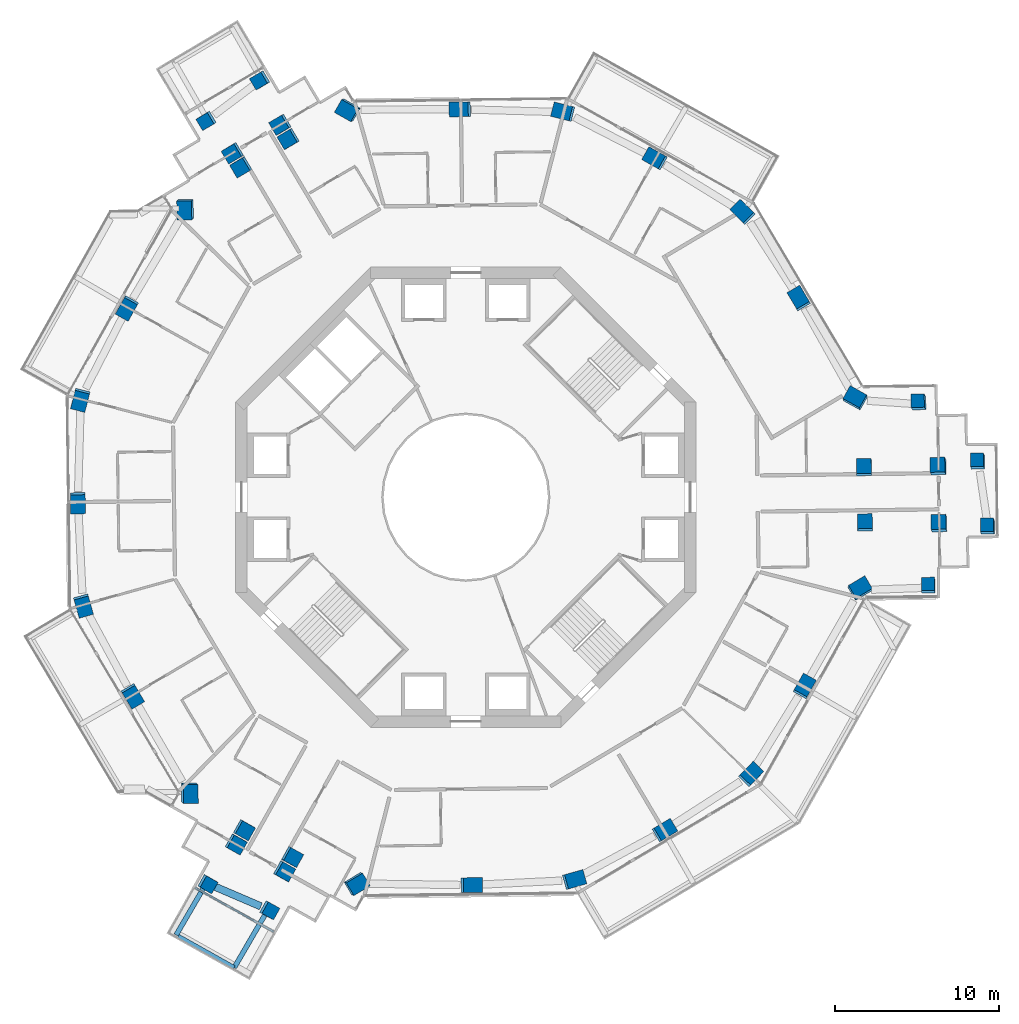
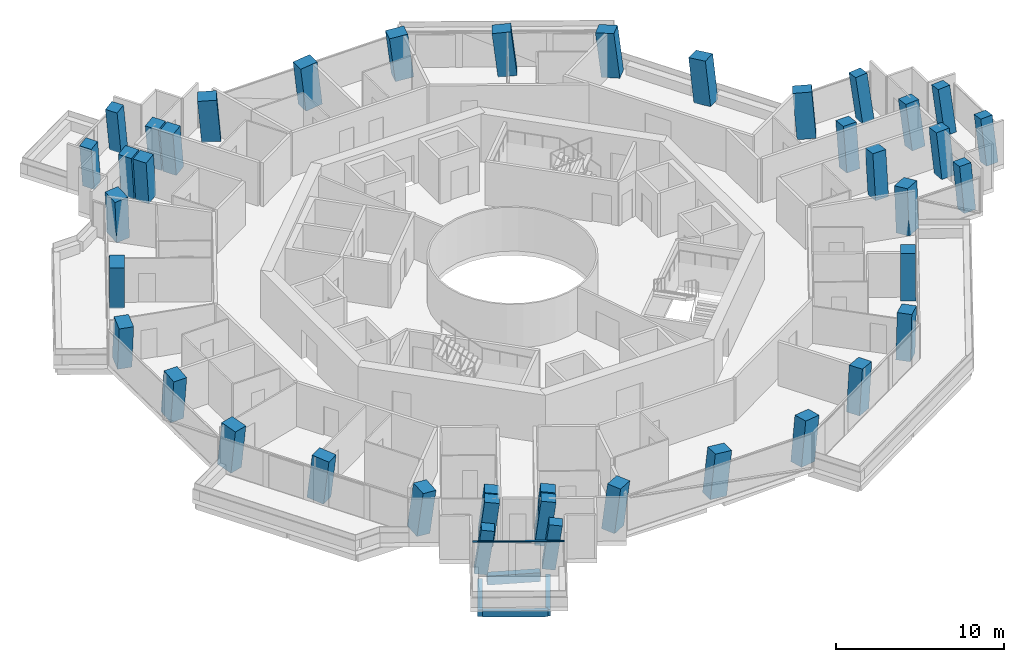
# One storey, part 1 of 21: 41 columns, 4 beams, 1 member, 1 element without a shape of its own.
"""IFC4 building model written with IfcOpenShell, lengths in metres."""

from ifc_helpers import new_model, si_unit, direction, frame, origin, origin_2d, place, context, subcontext, project, spatial, rectangle, extrude, material, layer, layer_set, material_profile, profile_set, type_object, element, aggregate, save


model = new_model("IFC4")

# Units and contexts
model_context = context("Model", 3, precision=1e-05, world=origin(), true_north=direction((0.0, 1.0)))
body_context = subcontext(model_context, "Body", "Model", "MODEL_VIEW")
ifc_project = project(units=[si_unit("LENGTHUNIT", "METRE"), si_unit("AREAUNIT", "SQUARE_METRE"), si_unit("VOLUMEUNIT", "CUBIC_METRE"), si_unit("PLANEANGLEUNIT", "RADIAN"), si_unit("MASSUNIT", "GRAM", prefix="KILO")], contexts=[model_context])

# Site, building, storey
site_placement = place(None, origin())
site = spatial("IfcSite", under=ifc_project, at=site_placement, CompositionType="ELEMENT")
building_placement = place(site_placement, origin())
building = spatial("IfcBuilding", under=site, at=building_placement, Name="Verdalira Terraces Hotel", CompositionType="ELEMENT")
storey_placement = place(building_placement, frame((0.0, 0.0, 158.5)))
storey = spatial("IfcBuildingStorey", under=building, at=storey_placement, Name="L38", CompositionType="ELEMENT", Elevation=158.5)

# Columns
ifc_material_1 = material(Name="Concrete C60", Category="concrete")
ifc_material_profile_1 = material_profile(ifc_material_1, rectangle(XDim=1.149902, YDim=0.899902, at=origin_2d()), Name="RC 1150X900")
ifc_profile_set_1 = profile_set([ifc_material_profile_1], Name="Concrete C60")
column_type_1 = type_object("IfcColumnType", Name="Column RC 1150X900 C60", PredefinedType="COLUMN", material=ifc_profile_set_1)
column_1_placement = place(storey_placement, frame((-17.033203, 17.545654, 0.0), z_axis=(-0.082780328, -0.081716118, 0.993211908), x_axis=(-0.019273255, 0.996577406, 0.080386663)))
element("IfcColumn", 1, at=column_1_placement, inside=storey, type_object=column_type_1, Name="Column C01", PredefinedType="COLUMN", context=body_context, shape_type="SweptSolid", body=[
    extrude(rectangle(XDim=1.149902, YDim=0.899902, at=origin_2d()), origin(), (0.0, 0.0, 1.0), 3.21167),
])
column_2_placement = place(storey_placement, frame((-20.592041, 11.546387, 0.0), z_axis=(-0.054147738, -0.09840895, 0.993671828), x_axis=(-0.486394176, -0.866490221, -0.112318307)))
element("IfcColumn", 2, at=column_2_placement, inside=storey, type_object=column_type_1, Name="Column C02", PredefinedType="COLUMN", context=body_context, shape_type="SweptSolid", body=[
    extrude(rectangle(XDim=1.149902, YDim=0.899902, at=origin_2d()), origin(), (0.0, 0.0, 1.0), 3.210205),
])
column_3_placement = place(storey_placement, frame((-23.445312, 5.967285, 0.0), z_axis=(-0.027369667, -0.111683446, 0.993366855), x_axis=(0.244625201, 0.962775758, 0.114984131)))
element("IfcColumn", 3, at=column_3_placement, inside=storey, type_object=column_type_1, Name="Column C03", PredefinedType="COLUMN", context=body_context, shape_type="SweptSolid", body=[
    extrude(rectangle(XDim=1.149902, YDim=0.899902, at=origin_2d()), origin(), (0.0, 0.0, 1.0), 3.211182),
])
column_4_placement = place(storey_placement, frame((-23.606445, -0.296631, 0.0), z_axis=(0.002357569, -0.112250684, 0.993677124), x_axis=(0.012434843, -0.993599767, -0.112271448)))
element("IfcColumn", 4, at=column_4_placement, inside=storey, type_object=column_type_1, Name="Column C04", PredefinedType="COLUMN", context=body_context, shape_type="SweptSolid", body=[
    extrude(rectangle(XDim=1.149902, YDim=0.899902, at=origin_2d()), origin(), (0.0, 0.0, 1.0), 3.210205),
])
column_5_placement = place(storey_placement, frame((-23.287842, -6.554688, 0.0), z_axis=(0.032083171, -0.110466464, 0.993361883), x_axis=(-0.26894855, 0.956261182, 0.115027077)))
element("IfcColumn", 5, at=column_5_placement, inside=storey, type_object=column_type_1, Name="Column C05", PredefinedType="COLUMN", context=body_context, shape_type="SweptSolid", body=[
    extrude(rectangle(XDim=1.149902, YDim=0.899902, at=origin_2d()), origin(), (0.0, 0.0, 1.0), 3.211182),
])
column_6_placement = place(storey_placement, frame((-20.29541, -12.060303, 0.0), z_axis=(0.058178989, -0.095976319, 0.993681917), x_axis=(0.507873055, -0.854089929, -0.11222902)))
element("IfcColumn", 6, at=column_6_placement, inside=storey, type_object=column_type_1, Name="Column C06", PredefinedType="COLUMN", context=body_context, shape_type="SweptSolid", body=[
    extrude(rectangle(XDim=1.149902, YDim=0.899902, at=origin_2d()), origin(), (0.0, 0.0, 1.0), 3.210205),
])
column_7_placement = place(storey_placement, frame((-16.841064, -17.971436, 0.0), z_axis=(0.086117007, -0.079352299, 0.993119869), x_axis=(-0.005682221, 0.996767703, 0.080136495)))
element("IfcColumn", 7, at=column_7_placement, inside=storey, type_object=column_type_1, Name="Column C07", PredefinedType="COLUMN", context=body_context, shape_type="SweptSolid", body=[
    extrude(rectangle(XDim=1.149902, YDim=0.899902, at=origin_2d()), origin(), (0.0, 0.0, 1.0), 3.212158),
])
column_8_placement = place(storey_placement, frame((-6.678223, -23.52417, 0.0), z_axis=(0.112047669, -0.030786503, 0.993225811), x_axis=(-0.853370456, -0.515082556, 0.080304578)))
element("IfcColumn", 8, at=column_8_placement, inside=storey, type_object=column_type_1, Name="Column C10", PredefinedType="COLUMN", context=body_context, shape_type="SweptSolid", body=[
    extrude(rectangle(XDim=1.149902, YDim=0.899902, at=origin_2d()), origin(), (0.0, 0.0, 1.0), 3.21167),
])
column_9_placement = place(storey_placement, frame((0.296631, -23.606445, 0.0), z_axis=(0.112250684, 0.002357569, 0.993677124), x_axis=(0.993599767, 0.012434843, -0.112271448)))
element("IfcColumn", 9, at=column_9_placement, inside=storey, type_object=column_type_1, Name="Column C11", PredefinedType="COLUMN", context=body_context, shape_type="SweptSolid", body=[
    extrude(rectangle(XDim=1.149902, YDim=0.899902, at=origin_2d()), origin(), (0.0, 0.0, 1.0), 3.210205),
])
column_10_placement = place(storey_placement, frame((6.554688, -23.287842, 0.0), z_axis=(0.110466464, 0.032083171, 0.993361883), x_axis=(-0.956261182, -0.26894855, 0.115027077)))
element("IfcColumn", 10, at=column_10_placement, inside=storey, type_object=column_type_1, Name="Column C12", PredefinedType="COLUMN", context=body_context, shape_type="SweptSolid", body=[
    extrude(rectangle(XDim=1.149902, YDim=0.899902, at=origin_2d()), origin(), (0.0, 0.0, 1.0), 3.211182),
])
column_11_placement = place(storey_placement, frame((12.060303, -20.29541, 0.0), z_axis=(0.095976319, 0.058178989, 0.993681917), x_axis=(0.854089929, 0.507873055, -0.11222902)))
element("IfcColumn", 11, at=column_11_placement, inside=storey, type_object=column_type_1, Name="Column C13", PredefinedType="COLUMN", context=body_context, shape_type="SweptSolid", body=[
    extrude(rectangle(XDim=1.149902, YDim=0.899902, at=origin_2d()), origin(), (0.0, 0.0, 1.0), 3.210205),
])
column_12_placement = place(storey_placement, frame((17.320312, -16.890381, 0.0), z_axis=(0.079675403, 0.083020554, 0.993357649), x_axis=(-0.693882614, -0.710835619, 0.115063637)))
element("IfcColumn", 12, at=column_12_placement, inside=storey, type_object=column_type_1, Name="Column C14", PredefinedType="COLUMN", context=body_context, shape_type="SweptSolid", body=[
    extrude(rectangle(XDim=1.149902, YDim=0.899902, at=origin_2d()), origin(), (0.0, 0.0, 1.0), 3.211182),
])
column_13_placement = place(storey_placement, frame((20.592041, -11.546387, 0.0), z_axis=(0.054147738, 0.09840895, 0.993671828), x_axis=(0.486394176, 0.866490221, -0.112318307)))
element("IfcColumn", 13, at=column_13_placement, inside=storey, type_object=column_type_1, Name="Column C15", PredefinedType="COLUMN", context=body_context, shape_type="SweptSolid", body=[
    extrude(rectangle(XDim=1.149902, YDim=0.899902, at=origin_2d()), origin(), (0.0, 0.0, 1.0), 3.210205),
])
column_14_placement = place(storey_placement, frame((23.984131, -5.599121, 0.0), z_axis=(0.025690715, 0.114240071, 0.993120936), x_axis=(-0.860517755, -0.503078849, 0.080130301)))
element("IfcColumn", 14, at=column_14_placement, inside=storey, type_object=column_type_1, Name="Column C16", PredefinedType="COLUMN", context=body_context, shape_type="SweptSolid", body=[
    extrude(rectangle(XDim=1.149902, YDim=0.899902, at=origin_2d()), origin(), (0.0, 0.0, 1.0), 3.212158),
])
column_15_placement = place(storey_placement, frame((23.71167, 5.978516, 0.0), z_axis=(-0.02941792, 0.112502638, 0.993215859), x_axis=(0.872905646, -0.481224965, 0.080363342)))
element("IfcColumn", 15, at=column_15_placement, inside=storey, type_object=column_type_1, Name="Column C21", PredefinedType="COLUMN", context=body_context, shape_type="SweptSolid", body=[
    extrude(rectangle(XDim=1.149902, YDim=0.899902, at=origin_2d()), origin(), (0.0, 0.0, 1.0), 3.21167),
])
column_16_placement = place(storey_placement, frame((20.29541, 12.060303, 0.0), z_axis=(-0.058178989, 0.095976319, 0.993681917), x_axis=(-0.507873055, 0.854089929, -0.11222902)))
element("IfcColumn", 16, at=column_16_placement, inside=storey, type_object=column_type_1, Name="Column C22", PredefinedType="COLUMN", context=body_context, shape_type="SweptSolid", body=[
    extrude(rectangle(XDim=1.149902, YDim=0.899902, at=origin_2d()), origin(), (0.0, 0.0, 1.0), 3.210205),
])
column_17_placement = place(storey_placement, frame((16.890381, 17.320312, 0.0), z_axis=(-0.083020554, 0.079675403, 0.993357649), x_axis=(0.710835619, -0.693882614, 0.115063637)))
element("IfcColumn", 17, at=column_17_placement, inside=storey, type_object=column_type_1, Name="Column C23", PredefinedType="COLUMN", context=body_context, shape_type="SweptSolid", body=[
    extrude(rectangle(XDim=1.149902, YDim=0.899902, at=origin_2d()), origin(), (0.0, 0.0, 1.0), 3.211182),
])
column_18_placement = place(storey_placement, frame((11.546387, 20.592041, 0.0), z_axis=(-0.09840895, 0.054147738, 0.993671828), x_axis=(-0.866490221, 0.486394176, -0.112318307)))
element("IfcColumn", 18, at=column_18_placement, inside=storey, type_object=column_type_1, Name="Column C24", PredefinedType="COLUMN", context=body_context, shape_type="SweptSolid", body=[
    extrude(rectangle(XDim=1.149902, YDim=0.899902, at=origin_2d()), origin(), (0.0, 0.0, 1.0), 3.210205),
])
column_19_placement = place(storey_placement, frame((5.967285, 23.445312, 0.0), z_axis=(-0.111683446, 0.027369667, 0.993366855), x_axis=(0.962775758, -0.244625201, 0.114984131)))
element("IfcColumn", 19, at=column_19_placement, inside=storey, type_object=column_type_1, Name="Column C25", PredefinedType="COLUMN", context=body_context, shape_type="SweptSolid", body=[
    extrude(rectangle(XDim=1.149902, YDim=0.899902, at=origin_2d()), origin(), (0.0, 0.0, 1.0), 3.211182),
])
column_20_placement = place(storey_placement, frame((-0.296631, 23.606445, 0.0), z_axis=(-0.112250684, -0.002357569, 0.993677124), x_axis=(-0.993599767, -0.012434843, -0.112271448)))
element("IfcColumn", 20, at=column_20_placement, inside=storey, type_object=column_type_1, Name="Column C26", PredefinedType="COLUMN", context=body_context, shape_type="SweptSolid", body=[
    extrude(rectangle(XDim=1.149902, YDim=0.899902, at=origin_2d()), origin(), (0.0, 0.0, 1.0), 3.210205),
])
column_21_placement = place(storey_placement, frame((-7.143311, 23.570312, 0.0), z_axis=(-0.111732346, -0.034887855, 0.993125732), x_axis=(0.866068065, -0.493467023, 0.080102456)))
element("IfcColumn", 21, at=column_21_placement, inside=storey, type_object=column_type_1, Name="Column C27", PredefinedType="COLUMN", context=body_context, shape_type="SweptSolid", body=[
    extrude(rectangle(XDim=1.149902, YDim=0.899902, at=origin_2d()), origin(), (0.0, 0.0, 1.0), 3.211914),
])
ifc_material_2 = material(Name="Concrete C60", Category="concrete")
ifc_material_profile_2 = material_profile(ifc_material_2, rectangle(XDim=0.800049, YDim=0.800049, at=origin_2d()), Name="RC 800X800")
ifc_profile_set_2 = profile_set([ifc_material_profile_2], Name="Concrete C60")
column_type_2 = type_object("IfcColumnType", Name="Column RC 800X800 C60", PredefinedType="COLUMN", material=ifc_profile_set_2)
column_22_placement = place(storey_placement, frame((-15.758545, -23.503906, 0.0), z_axis=(0.112094085, -0.07386985, 0.990948112), x_axis=(0.864810287, -0.483915536, -0.133898924)))
element("IfcColumn", 22, at=column_22_placement, inside=storey, type_object=column_type_2, Name="Column C08", PredefinedType="COLUMN", context=body_context, shape_type="SweptSolid", body=[
    extrude(rectangle(XDim=0.800049, YDim=0.800049, at=origin_2d()), origin(), (0.0, 0.0, 1.0), 3.218994),
])
column_23_placement = place(storey_placement, frame((-12.002197, -25.105957, 0.0), z_axis=(0.119637883, -0.055911934, 0.991241965), x_axis=(0.8641985, -0.485610134, -0.131695676)))
element("IfcColumn", 23, at=column_23_placement, inside=storey, type_object=column_type_2, Name="Column C09", PredefinedType="COLUMN", context=body_context, shape_type="SweptSolid", body=[
    extrude(rectangle(XDim=0.800049, YDim=0.800049, at=origin_2d()), origin(), (0.0, 0.0, 1.0), 3.218018),
])
column_24_placement = place(storey_placement, frame((28.152588, -5.436768, 0.0), z_axis=(-0.02358596, 0.132415071, 0.990913695), x_axis=(0.999645385, 0.015379788, 0.021738604)))
element("IfcColumn", 24, at=column_24_placement, inside=storey, type_object=column_type_2, Name="Column C17", PredefinedType="COLUMN", context=body_context, shape_type="SweptSolid", body=[
    extrude(rectangle(XDim=0.800049, YDim=0.800049, at=origin_2d()), origin(), (0.0, 0.0, 1.0), 3.219238),
])
column_25_placement = place(storey_placement, frame((31.767822, -1.851074, 0.0), z_axis=(-0.040606192, 0.148964987, 0.988008386), x_axis=(-0.006401041, 0.988764865, -0.14934212)))
element("IfcColumn", 25, at=column_25_placement, inside=storey, type_object=column_type_2, Name="Column C18", PredefinedType="COLUMN", context=body_context, shape_type="SweptSolid", body=[
    extrude(rectangle(XDim=0.800049, YDim=0.800049, at=origin_2d()), origin(), (0.0, 0.0, 1.0), 3.22876),
])
column_26_placement = place(storey_placement, frame((31.177979, 2.102051, 0.0), z_axis=(-0.059254687, 0.145869319, 0.987527733), x_axis=(-0.003934823, 0.989224159, -0.146356003)))
element("IfcColumn", 26, at=column_26_placement, inside=storey, type_object=column_type_2, Name="Column C19", PredefinedType="COLUMN", context=body_context, shape_type="SweptSolid", body=[
    extrude(rectangle(XDim=0.800049, YDim=0.800049, at=origin_2d()), origin(), (0.0, 0.0, 1.0), 3.230225),
])
column_27_placement = place(storey_placement, frame((27.592285, 5.717285, 0.0), z_axis=(-0.076276126, 0.128942974, 0.988714146), x_axis=(-0.997010196, -0.022149321, -0.07402754)))
element("IfcColumn", 27, at=column_27_placement, inside=storey, type_object=column_type_2, Name="Column C20", PredefinedType="COLUMN", context=body_context, shape_type="SweptSolid", body=[
    extrude(rectangle(XDim=0.800049, YDim=0.800049, at=origin_2d()), origin(), (0.0, 0.0, 1.0), 3.226318),
])
column_28_placement = place(storey_placement, frame((-12.47583, 25.399414, 0.0), z_axis=(-0.119981625, -0.060218338, 0.990948112), x_axis=(-0.851163062, -0.507535733, -0.133898924)))
element("IfcColumn", 28, at=column_28_placement, inside=storey, type_object=column_type_2, Name="Column C28", PredefinedType="COLUMN", context=body_context, shape_type="SweptSolid", body=[
    extrude(rectangle(XDim=0.800049, YDim=0.800049, at=origin_2d()), origin(), (0.0, 0.0, 1.0), 3.218994),
])
column_29_placement = place(storey_placement, frame((-15.741211, 22.947021, 0.0), z_axis=(-0.108258795, -0.075561149, 0.991246965), x_axis=(-0.852984722, -0.505057594, -0.13165824)))
element("IfcColumn", 29, at=column_29_placement, inside=storey, type_object=column_type_2, Name="Column C29", PredefinedType="COLUMN", context=body_context, shape_type="SweptSolid", body=[
    extrude(rectangle(XDim=0.800049, YDim=0.800049, at=origin_2d()), origin(), (0.0, 0.0, 1.0), 3.218018),
])
ifc_material_3 = material(Name="Concrete C60", Category="concrete")
ifc_material_profile_3 = material_profile(ifc_material_3, rectangle(XDim=0.899902, YDim=0.899902, at=origin_2d()), Name="RC 900X900")
ifc_profile_set_3 = profile_set([ifc_material_profile_3], Name="Concrete C60")
column_type_3 = type_object("IfcColumnType", Name="Column RC 900X900 C60", PredefinedType="COLUMN", material=ifc_profile_set_3)
for number, where, z_axis, x_axis, name in (
    (30, (-10.753418, 21.828125, 0.0), (-0.103312379, -0.051998283, 0.993288846), (-0.510176066, 0.860032395, -0.008041261), "Column C30"),
    (31, (-13.638672, 20.113525, 0.0), (-0.095103014, -0.065682657, 0.993298145), (-0.511758716, 0.859093719, 0.007810104), "Column C31"),
):
    element("IfcColumn", number, at=place(storey_placement, frame(where, z_axis=z_axis, x_axis=x_axis)), inside=storey, type_object=column_type_3, Name=name, PredefinedType="COLUMN", context=body_context, shape_type="SweptSolid", body=[
        extrude(rectangle(XDim=0.899902, YDim=0.899902, at=origin_2d()), origin(), (0.0, 0.0, 1.0), 3.211426),
    ])
column_30_placement = place(storey_placement, frame((-11.249756, 22.696289, 0.0), z_axis=(-0.107432735, -0.054324191, 0.992727097), x_axis=(-0.509655691, 0.860340554, -0.00807513)))
element("IfcColumn", 32, at=column_30_placement, inside=storey, type_object=column_type_3, Name="Column C32", PredefinedType="COLUMN", context=body_context, shape_type="SweptSolid", body=[
    extrude(rectangle(XDim=0.899902, YDim=0.899902, at=origin_2d()), origin(), (0.0, 0.0, 1.0), 3.213379),
])
column_31_placement = place(storey_placement, frame((-14.149658, 20.973145, 0.0), z_axis=(-0.09907728, -0.06807764, 0.99274827), x_axis=(-0.511762298, 0.859091334, 0.007837731)))
element("IfcColumn", 33, at=column_31_placement, inside=storey, type_object=column_type_3, Name="Column C33", PredefinedType="COLUMN", context=body_context, shape_type="SweptSolid", body=[
    extrude(rectangle(XDim=0.899902, YDim=0.899902, at=origin_2d()), origin(), (0.0, 0.0, 1.0), 3.213135),
])
for number, where, z_axis, x_axis, name in (
    (34, (-13.5271, -20.226807, 0.0), (0.09669843, -0.06347735, 0.993287491), (-0.489712595, -0.871846833, -0.00804207), "Column C34"),
    (35, (-10.599609, -21.868408, 0.0), (0.104453616, -0.049490032, 0.993297629), (-0.487848779, -0.872893216, 0.007810404), "Column C35"),
):
    element("IfcColumn", number, at=place(storey_placement, frame(where, z_axis=z_axis, x_axis=x_axis)), inside=storey, type_object=column_type_3, Name=name, PredefinedType="COLUMN", context=body_context, shape_type="SweptSolid", body=[
        extrude(rectangle(XDim=0.899902, YDim=0.899902, at=origin_2d()), origin(), (0.0, 0.0, 1.0), 3.211426),
    ])
column_32_placement = place(storey_placement, frame((-14.030762, -21.09082, 0.0), z_axis=(0.100822582, -0.065796802, 0.992726341), x_axis=(-0.489522532, -0.871953254, -0.008075549)))
element("IfcColumn", 36, at=column_32_placement, inside=storey, type_object=column_type_3, Name="Column C36", PredefinedType="COLUMN", context=body_context, shape_type="SweptSolid", body=[
    extrude(rectangle(XDim=0.899902, YDim=0.899902, at=origin_2d()), origin(), (0.0, 0.0, 1.0), 3.213379),
])
column_33_placement = place(storey_placement, frame((-11.088379, -22.740479, 0.0), z_axis=(0.108423317, -0.051818292, 0.992753368), x_axis=(-0.488691834, -0.872421288, 0.007834986)))
element("IfcColumn", 37, at=column_33_placement, inside=storey, type_object=column_type_3, Name="Column C37", PredefinedType="COLUMN", context=body_context, shape_type="SweptSolid", body=[
    extrude(rectangle(XDim=0.899902, YDim=0.899902, at=origin_2d()), origin(), (0.0, 0.0, 1.0), 3.213135),
])
for number, where, z_axis, x_axis, name in (
    (38, (24.280518, -1.601562, 0.0), (0.006613755, 0.115550662, 0.993279569), (0.99989634, 0.011939788, -0.008046798), "Column C38"),
    (39, (24.238281, 1.754639, 0.0), (-0.009350687, 0.115173095, 0.993301426), (0.999873781, 0.013836668, 0.007808199), "Column C39"),
):
    element("IfcColumn", number, at=place(storey_placement, frame(where, z_axis=z_axis, x_axis=x_axis)), inside=storey, type_object=column_type_3, Name=name, PredefinedType="COLUMN", context=body_context, shape_type="SweptSolid", body=[
        extrude(rectangle(XDim=0.899902, YDim=0.899902, at=origin_2d()), origin(), (0.0, 0.0, 1.0), 3.211426),
    ])
column_34_placement = place(storey_placement, frame((28.815186, -1.6604, 0.0), z_axis=(-0.041519097, 0.135240125, 0.989942561), x_axis=(0.999058225, 0.018116888, 0.039426394)))
element("IfcColumn", 40, at=column_34_placement, inside=storey, type_object=column_type_3, Name="Column C40", PredefinedType="COLUMN", context=body_context, shape_type="SweptSolid", body=[
    extrude(rectangle(XDim=0.899902, YDim=0.899902, at=origin_2d()), origin(), (0.0, 0.0, 1.0), 3.222412),
])
column_35_placement = place(storey_placement, frame((28.771484, 1.811768, 0.0), z_axis=(-0.057915672, 0.134758034, 0.989184536), x_axis=(0.998242094, 0.020312369, 0.055678799)))
element("IfcColumn", 41, at=column_35_placement, inside=storey, type_object=column_type_3, Name="Column C41", PredefinedType="COLUMN", context=body_context, shape_type="SweptSolid", body=[
    extrude(rectangle(XDim=0.899902, YDim=0.899902, at=origin_2d()), origin(), (0.0, 0.0, 1.0), 3.224854),
])

# Beams
ifc_material_4 = material(Name="Concrete C40", Category="concrete")
ifc_material_profile_4 = material_profile(ifc_material_4, rectangle(XDim=0.300049, YDim=0.5, at=origin_2d()), Name="RC 300X500")
ifc_profile_set_4 = profile_set([ifc_material_profile_4], Name="Concrete C40")
beam_type_1 = type_object("IfcBeamType", Name="Balcony cantilever beam RC 300X500 C40", PredefinedType="BEAM", material=ifc_profile_set_4)
beam_1_placement = place(storey_placement, frame((-15.987061, -23.831299, -0.560059), z_axis=(-0.503628372, -0.863920403, 0.0), x_axis=(0.863920403, -0.503628372, 0.0)))
element("IfcBeam", 42, at=beam_1_placement, inside=storey, type_object=beam_type_1, Name="Balcony cantilever beam R19-1", PredefinedType="BEAM", context=body_context, shape_type="SweptSolid", body=[
    extrude(rectangle(XDim=0.300049, YDim=0.5, at=origin_2d()), origin(), (0.0, 0.0, 1.0), 3.253174),
])
beam_2_placement = place(storey_placement, frame((-12.232422, -25.4375, -0.560059), z_axis=(-0.503611744, -0.863930096, 0.0), x_axis=(0.863930096, -0.503611744, 0.0)))
element("IfcBeam", 43, at=beam_2_placement, inside=storey, type_object=beam_type_1, Name="Balcony cantilever beam R19-2", PredefinedType="BEAM", context=body_context, shape_type="SweptSolid", body=[
    extrude(rectangle(XDim=0.300049, YDim=0.5, at=origin_2d()), origin(), (0.0, 0.0, 1.0), 3.688721),
])
ifc_material_5 = material(Name="Concrete C40", Category="concrete")
ifc_material_profile_5 = material_profile(ifc_material_5, rectangle(XDim=0.25, YDim=0.449951, at=origin_2d()), Name="RC 250X450")
ifc_profile_set_5 = profile_set([ifc_material_profile_5], Name="Concrete C40")
beam_type_2 = type_object("IfcBeamType", Name="Balcony edge beam RC 250X450 C40", PredefinedType="BEAM", material=ifc_profile_set_5)
beam_3_placement = place(storey_placement, frame((-17.494629, -26.715088, -0.534912), z_axis=(0.872217889, -0.489117526, 0.0), x_axis=(0.489117526, 0.872217889, 0.0)))
element("IfcBeam", 44, at=beam_3_placement, inside=storey, type_object=beam_type_2, Name="Balcony edge beam R19-1", PredefinedType="BEAM", context=body_context, shape_type="SweptSolid", body=[
    extrude(rectangle(XDim=0.25, YDim=0.449951, at=origin_2d()), origin(), (0.0, 0.0, 1.0), 3.90332),
])

# Curtain wall, member
ifc_material_6 = material(Name="Clear glass", Category="glass")
ifc_layer = layer(ifc_material_6, 0.14990234375)
ifc_layer_set = layer_set([ifc_layer], Name="CW3 curtain wall")
curtain_wall_type = type_object("IfcCurtainWallType", Name="CW3 curtain wall", PredefinedType="NOTDEFINED", material=ifc_layer_set)
curtain_wall_placement = place(storey_placement, origin())
curtain_wall = element("IfcCurtainWall", 45, at=curtain_wall_placement, inside=storey, type_object=curtain_wall_type, Name="CW3 curtain wall L38 edge 19", PredefinedType="NOTDEFINED")
ifc_material_7 = material(Name="Terracotta frame", Category="masonry")
ifc_material_profile_6 = material_profile(ifc_material_7, rectangle(XDim=0.120117, YDim=0.064941, at=origin_2d()), Name="TR 65x120")
ifc_profile_set_6 = profile_set([ifc_material_profile_6], Name="Terracotta frame")
member_type = type_object("IfcMemberType", Name="CW3 transom 65x120", PredefinedType="USERDEFINED", material=ifc_profile_set_6)
member_placement = place(storey_placement, frame((-16.476074, -23.760986, 2.507568), z_axis=(0.87224096, -0.489076382, 0.0), x_axis=(0.489076382, 0.87224096, 0.0)))
member = element("IfcMember", 46, at=member_placement, type_object=member_type, Name="CW3 transom", ObjectType="TRANSOM", PredefinedType="USERDEFINED", context=body_context, shape_type="SweptSolid", body=[
    extrude(rectangle(XDim=0.120117, YDim=0.064941, at=origin_2d()), origin(), (0.0, 0.0, 1.0), 5.5),
])
aggregate(curtain_wall, [member])

# Beam
ifc_material_8 = material(Name="Concrete C50", Category="concrete")
ifc_material_profile_7 = material_profile(ifc_material_8, rectangle(XDim=0.449951, YDim=0.649902, at=origin_2d()), Name="RC 450X650")
ifc_profile_set_7 = profile_set([ifc_material_profile_7], Name="Concrete C50")
beam_type_3 = type_object("IfcBeamType", Name="Spandrel beam RC 450X650 C50", PredefinedType="SPANDREL", material=ifc_profile_set_7)
beam_4_placement = place(storey_placement, frame((-15.404297, -23.64209, -0.63501), z_axis=(0.918931273, -0.394417692, 0.0), x_axis=(0.394417692, 0.918931273, 0.0)))
element("IfcBeam", 47, at=beam_4_placement, inside=storey, type_object=beam_type_3, Name="Spandrel beam B08", PredefinedType="SPANDREL", context=body_context, shape_type="SweptSolid", body=[
    extrude(rectangle(XDim=0.449951, YDim=0.649902, at=origin_2d()), origin(), (0.0, 0.0, 1.0), 3.192139),
])

save(model, "model.ifc")
